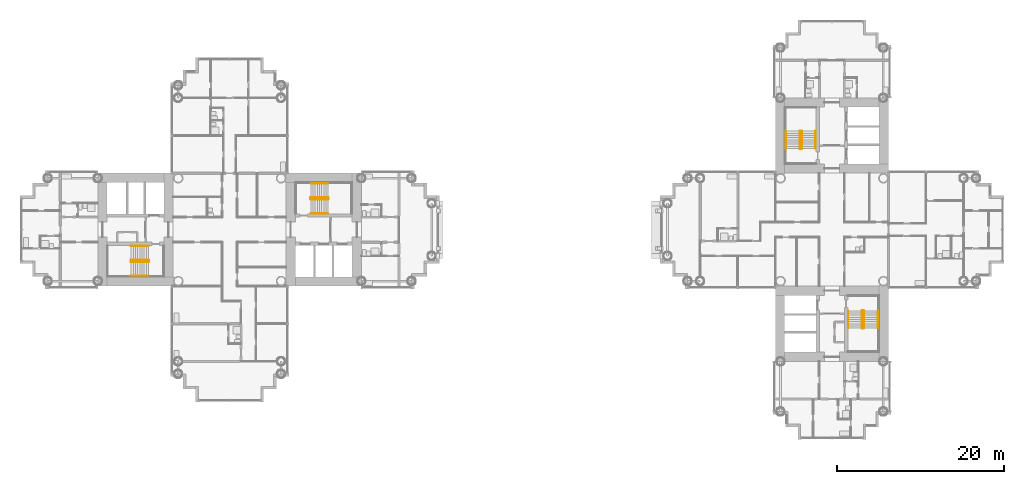
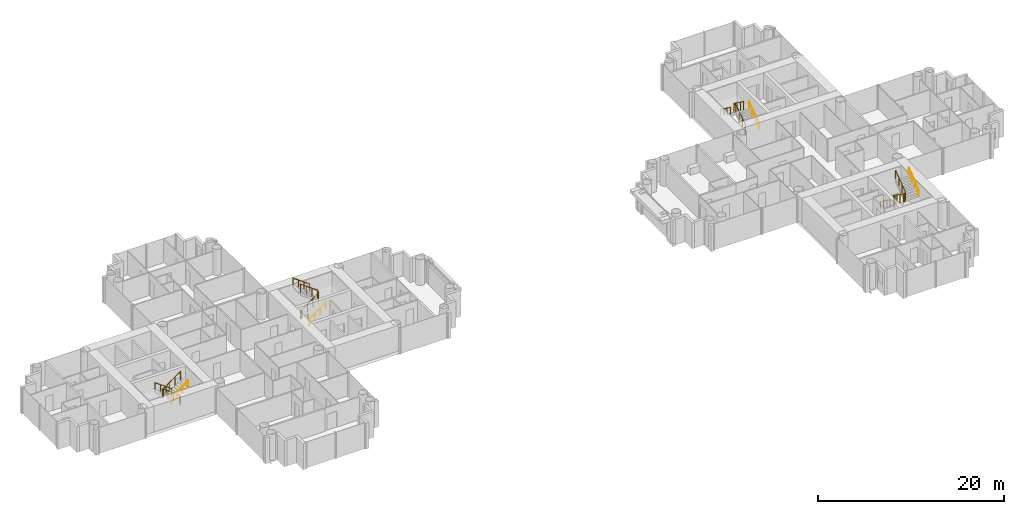
# One storey, part 21 of 22: 12 railings.
"""IFC4 building model written with IfcOpenShell, lengths in metres."""

import ifcopenshell
import ifcopenshell.guid

model = None  # the IFC model being written
_history = None  # IfcOwnerHistory: only IFC2X3 demands one
_inside = {}  # id of a spatial element -> (the spatial element, [elements in it])
_under = {}  # id of a project, library or spatial element -> (it, [spatial elements below it])
_declared = {}  # id of a project -> (the project, [libraries it declares])
_typed = {}  # id of a type object -> (the type object, [elements of that type])
_made_of = {}  # id of a material, layer set ... -> (it, [elements and type objects made of it])


def new_model(schema):
    """Start an empty IFC model of exactly this schema.

    Asked for "IFC4X3", IfcOpenShell would pick the latest addendum, in which some entities
    have other attributes; the version numbers below select the first issue.
    IFC2X3 requires an IfcOwnerHistory on every rooted entity: one is made here for all.
    """
    global model, _history
    if schema == "IFC4X3":
        model = ifcopenshell.file(schema_version=(4, 3, 0, 0))
    else:
        model = ifcopenshell.file(schema=schema)
    _inside.clear()
    _under.clear()
    _declared.clear()
    _typed.clear()
    _made_of.clear()
    _history = None
    if model.schema == "IFC2X3":
        org = make("IfcOrganization", Name="unknown")
        user = make(
            "IfcPersonAndOrganization",
            ThePerson=make("IfcPerson", FamilyName="unknown"),
            TheOrganization=org,
        )
        app = make(
            "IfcApplication",
            ApplicationDeveloper=org,
            Version="unknown",
            ApplicationFullName="unknown",
            ApplicationIdentifier="unknown",
        )
        _history = make(
            "IfcOwnerHistory",
            OwningUser=user,
            OwningApplication=app,
            ChangeAction="ADDED",
            CreationDate=0,
        )
    return model


def make(cls, **values):
    """One entity of the class cls with the attributes given. An attribute that is None is left unset."""
    return model.create_entity(
        cls, **{name: value for name, value in values.items() if value is not None}
    )


def rooted(cls, **values):
    """An entity with a GlobalId (a new one), such as an element, a storey or a relation."""
    return make(cls, GlobalId=ifcopenshell.guid.new(), OwnerHistory=_history, **values)


def si_unit(unit_type, name, prefix=None):
    """IfcSIUnit, for example si_unit("LENGTHUNIT", "METRE", prefix="MILLI")."""
    return make("IfcSIUnit", UnitType=unit_type, Prefix=prefix, Name=name)


def assignment(units):
    """IfcUnitAssignment: the units of a project."""
    return None if units is None else make("IfcUnitAssignment", Units=units)


def point(xyz):
    """IfcCartesianPoint."""
    return None if xyz is None else make("IfcCartesianPoint", Coordinates=xyz)


def direction(xyz):
    """IfcDirection."""
    return None if xyz is None else make("IfcDirection", DirectionRatios=xyz)


def frame(location, z_axis=None, x_axis=None):
    """IfcAxis2Placement3D, a coordinate frame: its origin and axes. An axis left out is left unset."""
    return make(
        "IfcAxis2Placement3D",
        Location=point(location),
        Axis=direction(z_axis),
        RefDirection=direction(x_axis),
    )


def frame_2d(location, x_axis=None):
    """IfcAxis2Placement2D, a coordinate frame in the plane: its origin and x axis."""
    return make(
        "IfcAxis2Placement2D", Location=point(location), RefDirection=direction(x_axis)
    )


def origin():
    """The frame at (0, 0, 0) with its axes left unset."""
    return frame((0.0, 0.0, 0.0))


def origin_2d():
    """The frame at (0, 0) in the plane with its x axis left unset."""
    return frame_2d((0.0, 0.0))


def place(relative_to, where):
    """IfcLocalPlacement: puts the frame where relative to a parent placement (None: the world)."""
    return make(
        "IfcLocalPlacement", PlacementRelTo=relative_to, RelativePlacement=where
    )


def context(
    kind, dimensions, precision=None, world=None, true_north=None, identifier=None
):
    """IfcGeometricRepresentationContext, for example the 3D "Model" context."""
    return make(
        "IfcGeometricRepresentationContext",
        ContextIdentifier=identifier,
        ContextType=kind,
        CoordinateSpaceDimension=dimensions,
        Precision=precision,
        WorldCoordinateSystem=world,
        TrueNorth=true_north,
    )


def subcontext(parent, identifier, kind, view, scale=None):
    """IfcGeometricRepresentationSubContext, for example "Body" below "Model"."""
    return make(
        "IfcGeometricRepresentationSubContext",
        ContextIdentifier=identifier,
        ContextType=kind,
        ParentContext=parent,
        TargetScale=scale,
        TargetView=view,
    )


def project(units=None, contexts=None):
    """IfcProject with its units and contexts."""
    return rooted(
        "IfcProject",
        Name="project",
        RepresentationContexts=contexts,
        UnitsInContext=assignment(units),
    )


def spatial(cls, under=None, at=None, **own):
    """A site, building, storey or space (cls), placed at a placement, below another one or the project."""
    s = rooted(cls, ObjectPlacement=at, **own)
    if under is not None:
        _under.setdefault(under.id(), (under, []))[1].append(s)
    return s


def profile(cls, at=None, kind="AREA", **sizes):
    """A parametric profile (cls). Its sizes go by their IFC names, for example OverallWidth=200.0."""
    return make(cls, ProfileType=kind, Position=at, **sizes)


def circle(**sizes):
    """IfcCircleProfileDef."""
    return profile("IfcCircleProfileDef", **sizes)


def extrude(swept, where, along, depth):
    """IfcExtrudedAreaSolid: the profile swept, set in the frame where, extruded along a direction by depth."""
    return make(
        "IfcExtrudedAreaSolid",
        SweptArea=swept,
        Position=where,
        ExtrudedDirection=direction(along),
        Depth=depth,
    )


def shape(context_of_items, identifier, shape_type, items):
    """IfcShapeRepresentation: the items that make up one representation, for example the "Body"."""
    return make(
        "IfcShapeRepresentation",
        ContextOfItems=context_of_items,
        RepresentationIdentifier=identifier,
        RepresentationType=shape_type,
        Items=items,
    )


def material(Name=None, Category=None):
    """IfcMaterial."""
    return make("IfcMaterial", Name=Name, Category=Category)


def made_of(thing, what):
    """Note that an element or type object is made of a material, layer set ...; save() writes the relation."""
    if what is not None:
        _made_of.setdefault(what.id(), (what, []))[1].append(thing)
    return thing


def type_object(cls, material=None, **own):
    """A type object (cls), such as IfcWallType, which elements share."""
    return made_of(rooted(cls, **own), material)


def element(
    cls,
    number,
    at=None,
    inside=None,
    cuts=None,
    type_object=None,
    material=None,
    context=None,
    identifier="Body",
    shape_type=None,
    held_by="IfcProductDefinitionShape",
    body=None,
    shapes=None,
    **own,
):
    """One element of the class cls, such as IfcWall. Its Tag is "e" and its number.

    at: its placement. inside: the storey or other place that contains it. cuts: it is an
    opening in that element (IfcRelVoidsElement). A single representation is given by context,
    identifier, shape_type and body (its items); several are given by shapes. held_by: the class
    of the entity that holds the representations. save() writes the other relations.
    """
    e = rooted(cls, Tag="e%d" % number, ObjectPlacement=at, **own)
    if body is not None:
        shapes = [shape(context, identifier, shape_type, body)]
    if shapes is not None:
        e.Representation = make(held_by, Representations=shapes)
    if inside is not None:
        _inside.setdefault(inside.id(), (inside, []))[1].append(e)
    if cuts is not None:
        rooted(
            "IfcRelVoidsElement", RelatingBuildingElement=cuts, RelatedOpeningElement=e
        )
    if type_object is not None:
        _typed.setdefault(type_object.id(), (type_object, []))[1].append(e)
    return made_of(e, material)


def aggregate(whole, parts):
    """IfcRelAggregates: a whole, such as a stair, and the parts it consists of."""
    return rooted("IfcRelAggregates", RelatingObject=whole, RelatedObjects=parts)


def save(model, path):
    """Write the relations noted so far, then the file.

    IfcRelAggregates (storeys below a building ...), IfcRelContainedInSpatialStructure (elements
    in a storey), IfcRelDefinesByType, IfcRelAssociatesMaterial and IfcRelDeclares: one each for
    every whole, place, type object, material and project.
    """
    for whole, parts in _under.values():
        aggregate(whole, parts)
    for where, things in _inside.values():
        rooted(
            "IfcRelContainedInSpatialStructure",
            RelatedElements=things,
            RelatingStructure=where,
        )
    for kind, things in _typed.values():
        rooted("IfcRelDefinesByType", RelatedObjects=things, RelatingType=kind)
    for what, things in _made_of.values():
        rooted("IfcRelAssociatesMaterial", RelatedObjects=things, RelatingMaterial=what)
    for by, libraries in _declared.values():
        rooted("IfcRelDeclares", RelatingContext=by, RelatedDefinitions=libraries)
    model.write(path)


model = new_model("IFC4")

# Units and contexts
model_context = context("Model", 3, precision=1e-05, world=origin(), true_north=direction((0.0, 1.0)))
body_context = subcontext(model_context, "Body", "Model", "MODEL_VIEW")
ifc_project = project(units=[si_unit("LENGTHUNIT", "METRE"), si_unit("AREAUNIT", "SQUARE_METRE"), si_unit("VOLUMEUNIT", "CUBIC_METRE"), si_unit("PLANEANGLEUNIT", "RADIAN"), si_unit("MASSUNIT", "GRAM", prefix="KILO")], contexts=[model_context])

# Site, building, storey
site_placement = place(None, origin())
site = spatial("IfcSite", under=ifc_project, at=site_placement, CompositionType="ELEMENT")
building_placement = place(site_placement, origin())
building = spatial("IfcBuilding", under=site, at=building_placement, Name="Ipe Terrace Towers", CompositionType="ELEMENT")
storey_placement = place(building_placement, frame((0.0, 0.0, 68.699951171875)))
storey = spatial("IfcBuildingStorey", under=building, at=storey_placement, Name="L18", CompositionType="ELEMENT", Elevation=68.699951171875)

# Railings
ifc_material_1 = material(Name="Steel S355", Category="steel")
railing_type_1 = type_object("IfcRailingType", Name="Stair guard 1100", PredefinedType="GUARDRAIL", material=ifc_material_1)
railing_1_placement = place(storey_placement, frame((-26.35009765625, 3.800048828125, 0.0)))
element("IfcRailing", 1, at=railing_1_placement, inside=storey, type_object=railing_type_1, Name="L18 T1-ST1 stair guard 1", PredefinedType="GUARDRAIL", context=body_context, shape_type="SweptSolid", body=[
    extrude(circle(Radius=0.02392578125, at=origin_2d()), frame((0.0, 0.0, 1.076171875), z_axis=(0.0, -1.0, 0.0), x_axis=(1.0, 0.0, 0.0)), (0.0, 0.0, 1.0), 0.150146484375),
    extrude(circle(Radius=0.02392578125, at=origin_2d()), frame((0.0, -0.150146484375, 1.076171875), z_axis=(0.248103849378, -0.246893586699, 0.936743314239), x_axis=(0.705375805398, 0.708833529934, 0.0)), (0.0, 0.0, 1.0), 0.20166015625),
    extrude(circle(Radius=0.02392578125, at=origin_2d()), frame((0.050048828125, -0.199951171875, 1.26513671875), z_axis=(0.809068575486, 0.0, 0.587714250432), x_axis=(0.0, 1.0, 0.0)), (0.0, 0.0, 1.0), 2.571044921875),
    extrude(circle(Radius=0.02392578125, at=origin_2d()), frame((2.130126953125, -0.199951171875, 2.77587890625), z_axis=(0.708833529934, 0.705375805398, 0.0), x_axis=(-0.705375805398, 0.708833529934, 0.0)), (0.0, 0.0, 1.0), 0.070556640625),
    extrude(circle(Radius=0.02392578125, at=origin_2d()), frame((2.18017578125, -0.150146484375, 2.77587890625), z_axis=(0.0, 1.0, 0.0), x_axis=(-1.0, 0.0, 0.0)), (0.0, 0.0, 1.0), 0.150146484375),
    extrude(circle(Radius=0.02392578125, at=origin_2d()), frame((2.18017578125, 0.0, 2.77587890625), z_axis=(-0.248029566107, 0.248029566107, 0.936462849596), x_axis=(-0.707106781187, -0.707106781187, 0.0)), (0.0, 0.0, 1.0), 0.201904296875),
    extrude(circle(Radius=0.02392578125, at=origin_2d()), frame((2.130126953125, 0.050048828125, 2.96484375), z_axis=(-0.809023421508, 0.0, 0.587776406001), x_axis=(0.0, -1.0, 0.0)), (0.0, 0.0, 1.0), 2.571044921875),
    extrude(circle(Radius=0.02099609375, at=origin_2d()), origin(), (0.0, 0.0, 1.0), 1.052001953125),
    extrude(circle(Radius=0.02099609375, at=origin_2d()), frame((0.0, -0.150146484375, 0.0)), (0.0, 0.0, 1.0), 1.052001953125),
    extrude(circle(Radius=0.02099609375, at=origin_2d()), frame((0.050048828125, -0.199951171875, 0.18896484375)), (0.0, 0.0, 1.0), 1.052001953125),
    extrude(circle(Radius=0.02099609375, at=origin_2d()), frame((0.743408203125, -0.199951171875, 0.692626953125)), (0.0, 0.0, 1.0), 1.052001953125),
    extrude(circle(Radius=0.02099609375, at=origin_2d()), frame((1.436767578125, -0.199951171875, 1.1962890625)), (0.0, 0.0, 1.0), 1.052001953125),
    extrude(circle(Radius=0.02099609375, at=origin_2d()), frame((2.130126953125, -0.199951171875, 1.699951171875)), (0.0, 0.0, 1.0), 1.052001953125),
    extrude(circle(Radius=0.02099609375, at=origin_2d()), frame((2.18017578125, -0.150146484375, 1.699951171875)), (0.0, 0.0, 1.0), 1.052001953125),
    extrude(circle(Radius=0.02099609375, at=origin_2d()), frame((2.18017578125, 0.0, 1.699951171875)), (0.0, 0.0, 1.0), 1.052001953125),
    extrude(circle(Radius=0.02099609375, at=origin_2d()), frame((2.130126953125, 0.050048828125, 1.888916015625)), (0.0, 0.0, 1.0), 1.052001953125),
    extrude(circle(Radius=0.02099609375, at=origin_2d()), frame((1.436767578125, 0.050048828125, 2.392578125)), (0.0, 0.0, 1.0), 1.052001953125),
    extrude(circle(Radius=0.02099609375, at=origin_2d()), frame((0.743408203125, 0.050048828125, 2.896484375)), (0.0, 0.0, 1.0), 1.052001953125),
    extrude(circle(Radius=0.02099609375, at=origin_2d()), frame((0.050048828125, 0.050048828125, 3.400146484375)), (0.0, 0.0, 1.0), 1.052001953125),
])
railing_2_placement = place(storey_placement, frame((-45.64990234375, -3.800048828125, 0.0)))
element("IfcRailing", 2, at=railing_2_placement, inside=storey, type_object=railing_type_1, Name="L18 T1-ST2 stair guard 1", PredefinedType="GUARDRAIL", context=body_context, shape_type="SweptSolid", body=[
    extrude(circle(Radius=0.02392578125, at=origin_2d()), frame((0.0, 0.0, 1.076171875), z_axis=(0.0, 1.0, 0.0), x_axis=(-1.0, 0.0, 0.0)), (0.0, 0.0, 1.0), 0.150146484375),
    extrude(circle(Radius=0.02392578125, at=origin_2d()), frame((0.0, 0.150146484375, 1.076171875), z_axis=(-0.248103849378, 0.246893586699, 0.936743314239), x_axis=(-0.705375805398, -0.708833529934, 0.0)), (0.0, 0.0, 1.0), 0.20166015625),
    extrude(circle(Radius=0.02392578125, at=origin_2d()), frame((-0.050048828125, 0.199951171875, 1.26513671875), z_axis=(-0.809068575486, 0.0, 0.587714250432), x_axis=(0.0, -1.0, 0.0)), (0.0, 0.0, 1.0), 2.571044921875),
    extrude(circle(Radius=0.02392578125, at=origin_2d()), frame((-2.130126953125, 0.199951171875, 2.77587890625), z_axis=(-0.708833529934, -0.705375805398, 0.0), x_axis=(0.705375805398, -0.708833529934, 0.0)), (0.0, 0.0, 1.0), 0.070556640625),
    extrude(circle(Radius=0.02392578125, at=origin_2d()), frame((-2.18017578125, 0.150146484375, 2.77587890625), z_axis=(0.0, -1.0, 0.0), x_axis=(1.0, 0.0, 0.0)), (0.0, 0.0, 1.0), 0.150146484375),
    extrude(circle(Radius=0.02392578125, at=origin_2d()), frame((-2.18017578125, 0.0, 2.77587890625), z_axis=(0.248029566107, -0.248029566107, 0.936462849596), x_axis=(0.707106781187, 0.707106781187, 0.0)), (0.0, 0.0, 1.0), 0.201904296875),
    extrude(circle(Radius=0.02392578125, at=origin_2d()), frame((-2.130126953125, -0.050048828125, 2.96484375), z_axis=(0.809023421508, 0.0, 0.587776406001), x_axis=(0.0, 1.0, 0.0)), (0.0, 0.0, 1.0), 2.571044921875),
    extrude(circle(Radius=0.02099609375, at=origin_2d()), origin(), (0.0, 0.0, 1.0), 1.052001953125),
    extrude(circle(Radius=0.02099609375, at=origin_2d()), frame((0.0, 0.150146484375, 0.0)), (0.0, 0.0, 1.0), 1.052001953125),
    extrude(circle(Radius=0.02099609375, at=origin_2d()), frame((-0.050048828125, 0.199951171875, 0.18896484375)), (0.0, 0.0, 1.0), 1.052001953125),
    extrude(circle(Radius=0.02099609375, at=origin_2d()), frame((-0.743408203125, 0.199951171875, 0.692626953125)), (0.0, 0.0, 1.0), 1.052001953125),
    extrude(circle(Radius=0.02099609375, at=origin_2d()), frame((-1.436767578125, 0.199951171875, 1.1962890625)), (0.0, 0.0, 1.0), 1.052001953125),
    extrude(circle(Radius=0.02099609375, at=origin_2d()), frame((-2.130126953125, 0.199951171875, 1.699951171875)), (0.0, 0.0, 1.0), 1.052001953125),
    extrude(circle(Radius=0.02099609375, at=origin_2d()), frame((-2.18017578125, 0.150146484375, 1.699951171875)), (0.0, 0.0, 1.0), 1.052001953125),
    extrude(circle(Radius=0.02099609375, at=origin_2d()), frame((-2.18017578125, 0.0, 1.699951171875)), (0.0, 0.0, 1.0), 1.052001953125),
    extrude(circle(Radius=0.02099609375, at=origin_2d()), frame((-2.130126953125, -0.050048828125, 1.888916015625)), (0.0, 0.0, 1.0), 1.052001953125),
    extrude(circle(Radius=0.02099609375, at=origin_2d()), frame((-1.436767578125, -0.050048828125, 2.392578125)), (0.0, 0.0, 1.0), 1.052001953125),
    extrude(circle(Radius=0.02099609375, at=origin_2d()), frame((-0.743408203125, -0.050048828125, 2.896484375)), (0.0, 0.0, 1.0), 1.052001953125),
    extrude(circle(Radius=0.02099609375, at=origin_2d()), frame((-0.050048828125, -0.050048828125, 3.400146484375)), (0.0, 0.0, 1.0), 1.052001953125),
])
railing_3_placement = place(storey_placement, frame((32.199951171875, 9.64990234375, 0.0)))
element("IfcRailing", 3, at=railing_3_placement, inside=storey, type_object=railing_type_1, Name="L18 T2-ST1 stair guard 1", PredefinedType="GUARDRAIL", context=body_context, shape_type="SweptSolid", body=[
    extrude(circle(Radius=0.02392578125, at=origin_2d()), frame((0.0, 0.0, 1.076171875), z_axis=(1.0, 0.0, 0.0), x_axis=(0.0, 1.0, 0.0)), (0.0, 0.0, 1.0), 0.150146484375),
    extrude(circle(Radius=0.02392578125, at=origin_2d()), frame((0.150146484375, 0.0, 1.076171875), z_axis=(0.246893586699, 0.248103849378, 0.936743314239), x_axis=(-0.708833529934, 0.705375805398, 0.0)), (0.0, 0.0, 1.0), 0.20166015625),
    extrude(circle(Radius=0.02392578125, at=origin_2d()), frame((0.199951171875, 0.050048828125, 1.26513671875), z_axis=(0.0, 0.809068575486, 0.587714250432), x_axis=(-1.0, 0.0, 0.0)), (0.0, 0.0, 1.0), 2.571044921875),
    extrude(circle(Radius=0.02392578125, at=origin_2d()), frame((0.199951171875, 2.130126953125, 2.77587890625), z_axis=(-0.705375805398, 0.708833529934, 0.0), x_axis=(-0.708833529934, -0.705375805398, 0.0)), (0.0, 0.0, 1.0), 0.070556640625),
    extrude(circle(Radius=0.02392578125, at=origin_2d()), frame((0.150146484375, 2.18017578125, 2.77587890625), z_axis=(-1.0, 0.0, 0.0), x_axis=(0.0, -1.0, 0.0)), (0.0, 0.0, 1.0), 0.150146484375),
    extrude(circle(Radius=0.02392578125, at=origin_2d()), frame((0.0, 2.18017578125, 2.77587890625), z_axis=(-0.248029566107, -0.248029566107, 0.936462849596), x_axis=(0.707106781187, -0.707106781187, 0.0)), (0.0, 0.0, 1.0), 0.201904296875),
    extrude(circle(Radius=0.02392578125, at=origin_2d()), frame((-0.050048828125, 2.130126953125, 2.96484375), z_axis=(0.0, -0.809023421508, 0.587776406001), x_axis=(1.0, 0.0, 0.0)), (0.0, 0.0, 1.0), 2.571044921875),
    extrude(circle(Radius=0.02099609375, at=origin_2d()), origin(), (0.0, 0.0, 1.0), 1.052001953125),
    extrude(circle(Radius=0.02099609375, at=origin_2d()), frame((0.150146484375, 0.0, 0.0)), (0.0, 0.0, 1.0), 1.052001953125),
    extrude(circle(Radius=0.02099609375, at=origin_2d()), frame((0.199951171875, 0.050048828125, 0.18896484375)), (0.0, 0.0, 1.0), 1.052001953125),
    extrude(circle(Radius=0.02099609375, at=origin_2d()), frame((0.199951171875, 0.743408203125, 0.692626953125)), (0.0, 0.0, 1.0), 1.052001953125),
    extrude(circle(Radius=0.02099609375, at=origin_2d()), frame((0.199951171875, 1.436767578125, 1.1962890625)), (0.0, 0.0, 1.0), 1.052001953125),
    extrude(circle(Radius=0.02099609375, at=origin_2d()), frame((0.199951171875, 2.130126953125, 1.699951171875)), (0.0, 0.0, 1.0), 1.052001953125),
    extrude(circle(Radius=0.02099609375, at=origin_2d()), frame((0.150146484375, 2.18017578125, 1.699951171875)), (0.0, 0.0, 1.0), 1.052001953125),
    extrude(circle(Radius=0.02099609375, at=origin_2d()), frame((0.0, 2.18017578125, 1.699951171875)), (0.0, 0.0, 1.0), 1.052001953125),
    extrude(circle(Radius=0.02099609375, at=origin_2d()), frame((-0.050048828125, 2.130126953125, 1.888916015625)), (0.0, 0.0, 1.0), 1.052001953125),
    extrude(circle(Radius=0.02099609375, at=origin_2d()), frame((-0.050048828125, 1.436767578125, 2.392578125)), (0.0, 0.0, 1.0), 1.052001953125),
    extrude(circle(Radius=0.02099609375, at=origin_2d()), frame((-0.050048828125, 0.743408203125, 2.896484375)), (0.0, 0.0, 1.0), 1.052001953125),
    extrude(circle(Radius=0.02099609375, at=origin_2d()), frame((-0.050048828125, 0.050048828125, 3.400146484375)), (0.0, 0.0, 1.0), 1.052001953125),
])
railing_4_placement = place(storey_placement, frame((39.800048828125, -9.64990234375, 0.0)))
element("IfcRailing", 4, at=railing_4_placement, inside=storey, type_object=railing_type_1, Name="L18 T2-ST2 stair guard 1", PredefinedType="GUARDRAIL", context=body_context, shape_type="SweptSolid", body=[
    extrude(circle(Radius=0.02392578125, at=origin_2d()), frame((0.0, 0.0, 1.076171875), z_axis=(-1.0, 0.0, 0.0), x_axis=(0.0, -1.0, 0.0)), (0.0, 0.0, 1.0), 0.150146484375),
    extrude(circle(Radius=0.02392578125, at=origin_2d()), frame((-0.150146484375, 0.0, 1.076171875), z_axis=(-0.246893586699, -0.248103849378, 0.936743314239), x_axis=(0.708833529934, -0.705375805398, 0.0)), (0.0, 0.0, 1.0), 0.20166015625),
    extrude(circle(Radius=0.02392578125, at=origin_2d()), frame((-0.199951171875, -0.050048828125, 1.26513671875), z_axis=(0.0, -0.809068575486, 0.587714250432), x_axis=(1.0, 0.0, 0.0)), (0.0, 0.0, 1.0), 2.571044921875),
    extrude(circle(Radius=0.02392578125, at=origin_2d()), frame((-0.199951171875, -2.130126953125, 2.77587890625), z_axis=(0.705375805398, -0.708833529934, 0.0), x_axis=(0.708833529934, 0.705375805398, 0.0)), (0.0, 0.0, 1.0), 0.070556640625),
    extrude(circle(Radius=0.02392578125, at=origin_2d()), frame((-0.150146484375, -2.18017578125, 2.77587890625), z_axis=(1.0, 0.0, 0.0), x_axis=(0.0, 1.0, 0.0)), (0.0, 0.0, 1.0), 0.150146484375),
    extrude(circle(Radius=0.02392578125, at=origin_2d()), frame((0.0, -2.18017578125, 2.77587890625), z_axis=(0.248029566107, 0.248029566107, 0.936462849596), x_axis=(-0.707106781187, 0.707106781187, 0.0)), (0.0, 0.0, 1.0), 0.201904296875),
    extrude(circle(Radius=0.02392578125, at=origin_2d()), frame((0.050048828125, -2.130126953125, 2.96484375), z_axis=(0.0, 0.809023421508, 0.587776406001), x_axis=(-1.0, 0.0, 0.0)), (0.0, 0.0, 1.0), 2.571044921875),
    extrude(circle(Radius=0.02099609375, at=origin_2d()), origin(), (0.0, 0.0, 1.0), 1.052001953125),
    extrude(circle(Radius=0.02099609375, at=origin_2d()), frame((-0.150146484375, 0.0, 0.0)), (0.0, 0.0, 1.0), 1.052001953125),
    extrude(circle(Radius=0.02099609375, at=origin_2d()), frame((-0.199951171875, -0.050048828125, 0.18896484375)), (0.0, 0.0, 1.0), 1.052001953125),
    extrude(circle(Radius=0.02099609375, at=origin_2d()), frame((-0.199951171875, -0.743408203125, 0.692626953125)), (0.0, 0.0, 1.0), 1.052001953125),
    extrude(circle(Radius=0.02099609375, at=origin_2d()), frame((-0.199951171875, -1.436767578125, 1.1962890625)), (0.0, 0.0, 1.0), 1.052001953125),
    extrude(circle(Radius=0.02099609375, at=origin_2d()), frame((-0.199951171875, -2.130126953125, 1.699951171875)), (0.0, 0.0, 1.0), 1.052001953125),
    extrude(circle(Radius=0.02099609375, at=origin_2d()), frame((-0.150146484375, -2.18017578125, 1.699951171875)), (0.0, 0.0, 1.0), 1.052001953125),
    extrude(circle(Radius=0.02099609375, at=origin_2d()), frame((0.0, -2.18017578125, 1.699951171875)), (0.0, 0.0, 1.0), 1.052001953125),
    extrude(circle(Radius=0.02099609375, at=origin_2d()), frame((0.050048828125, -2.130126953125, 1.888916015625)), (0.0, 0.0, 1.0), 1.052001953125),
    extrude(circle(Radius=0.02099609375, at=origin_2d()), frame((0.050048828125, -1.436767578125, 2.392578125)), (0.0, 0.0, 1.0), 1.052001953125),
    extrude(circle(Radius=0.02099609375, at=origin_2d()), frame((0.050048828125, -0.743408203125, 2.896484375)), (0.0, 0.0, 1.0), 1.052001953125),
    extrude(circle(Radius=0.02099609375, at=origin_2d()), frame((0.050048828125, -0.050048828125, 3.400146484375)), (0.0, 0.0, 1.0), 1.052001953125),
])
ifc_material_2 = material(Name="Stainless steel grade 304", Category="steel")
railing_type_2 = type_object("IfcRailingType", Name="Stair handrail 900", PredefinedType="HANDRAIL", material=ifc_material_2)
railing_5_placement = place(storey_placement, frame((-26.300048828125, 1.949951171875, 0.18896484375)))
element("IfcRailing", 5, at=railing_5_placement, inside=storey, type_object=railing_type_2, Name="L18 T1-ST1 stair handrail 1", PredefinedType="HANDRAIL", context=body_context, shape_type="SweptSolid", body=[
    extrude(circle(Radius=0.02392578125, at=origin_2d()), frame((0.0, 0.0, 0.8759765625), z_axis=(0.809068575486, 0.0, 0.587714250432), x_axis=(0.0, 1.0, 0.0)), (0.0, 0.0, 1.0), 2.571044921875),
    extrude(circle(Radius=0.02099609375, at=origin_2d()), origin(), (0.0, 0.0, 1.0), 0.851806640625),
    extrude(circle(Radius=0.02099609375, at=origin_2d()), frame((0.693359375, 0.0, 0.503662109375)), (0.0, 0.0, 1.0), 0.851806640625),
    extrude(circle(Radius=0.02099609375, at=origin_2d()), frame((1.38671875, 0.0, 1.00732421875)), (0.0, 0.0, 1.0), 0.851806640625),
    extrude(circle(Radius=0.02099609375, at=origin_2d()), frame((2.080078125, 0.0, 1.510986328125)), (0.0, 0.0, 1.0), 0.851806640625),
])
railing_6_placement = place(storey_placement, frame((-24.219970703125, 5.5, 1.888916015625)))
element("IfcRailing", 6, at=railing_6_placement, inside=storey, type_object=railing_type_2, Name="L18 T1-ST1 stair handrail 2", PredefinedType="HANDRAIL", context=body_context, shape_type="SweptSolid", body=[
    extrude(circle(Radius=0.02392578125, at=origin_2d()), frame((0.0, 0.0, 0.8759765625), z_axis=(-0.809023421508, 0.0, 0.587776406001), x_axis=(0.0, -1.0, 0.0)), (0.0, 0.0, 1.0), 2.571044921875),
    extrude(circle(Radius=0.02099609375, at=origin_2d()), origin(), (0.0, 0.0, 1.0), 0.851806640625),
    extrude(circle(Radius=0.02099609375, at=origin_2d()), frame((-0.693359375, 0.0, 0.503662109375)), (0.0, 0.0, 1.0), 0.851806640625),
    extrude(circle(Radius=0.02099609375, at=origin_2d()), frame((-1.38671875, 0.0, 1.007568359375)), (0.0, 0.0, 1.0), 0.851806640625),
    extrude(circle(Radius=0.02099609375, at=origin_2d()), frame((-2.080078125, 0.0, 1.51123046875)), (0.0, 0.0, 1.0), 0.851806640625),
])
railing_7_placement = place(storey_placement, frame((-45.699951171875, -1.949951171875, 0.18896484375)))
element("IfcRailing", 7, at=railing_7_placement, inside=storey, type_object=railing_type_2, Name="L18 T1-ST2 stair handrail 1", PredefinedType="HANDRAIL", context=body_context, shape_type="SweptSolid", body=[
    extrude(circle(Radius=0.02392578125, at=origin_2d()), frame((0.0, 0.0, 0.8759765625), z_axis=(-0.809068575486, 0.0, 0.587714250432), x_axis=(0.0, -1.0, 0.0)), (0.0, 0.0, 1.0), 2.571044921875),
    extrude(circle(Radius=0.02099609375, at=origin_2d()), origin(), (0.0, 0.0, 1.0), 0.851806640625),
    extrude(circle(Radius=0.02099609375, at=origin_2d()), frame((-0.693359375, 0.0, 0.503662109375)), (0.0, 0.0, 1.0), 0.851806640625),
    extrude(circle(Radius=0.02099609375, at=origin_2d()), frame((-1.38671875, 0.0, 1.00732421875)), (0.0, 0.0, 1.0), 0.851806640625),
    extrude(circle(Radius=0.02099609375, at=origin_2d()), frame((-2.080078125, 0.0, 1.510986328125)), (0.0, 0.0, 1.0), 0.851806640625),
])
railing_8_placement = place(storey_placement, frame((-47.780029296875, -5.5, 1.888916015625)))
element("IfcRailing", 8, at=railing_8_placement, inside=storey, type_object=railing_type_2, Name="L18 T1-ST2 stair handrail 2", PredefinedType="HANDRAIL", context=body_context, shape_type="SweptSolid", body=[
    extrude(circle(Radius=0.02392578125, at=origin_2d()), frame((0.0, 0.0, 0.8759765625), z_axis=(0.809023421508, 0.0, 0.587776406001), x_axis=(0.0, 1.0, 0.0)), (0.0, 0.0, 1.0), 2.571044921875),
    extrude(circle(Radius=0.02099609375, at=origin_2d()), origin(), (0.0, 0.0, 1.0), 0.851806640625),
    extrude(circle(Radius=0.02099609375, at=origin_2d()), frame((0.693359375, 0.0, 0.503662109375)), (0.0, 0.0, 1.0), 0.851806640625),
    extrude(circle(Radius=0.02099609375, at=origin_2d()), frame((1.38671875, 0.0, 1.007568359375)), (0.0, 0.0, 1.0), 0.851806640625),
    extrude(circle(Radius=0.02099609375, at=origin_2d()), frame((2.080078125, 0.0, 1.51123046875)), (0.0, 0.0, 1.0), 0.851806640625),
])
railing_9_placement = place(storey_placement, frame((34.050048828125, 9.699951171875, 0.18896484375)))
element("IfcRailing", 9, at=railing_9_placement, inside=storey, type_object=railing_type_2, Name="L18 T2-ST1 stair handrail 1", PredefinedType="HANDRAIL", context=body_context, shape_type="SweptSolid", body=[
    extrude(circle(Radius=0.02392578125, at=origin_2d()), frame((0.0, 0.0, 0.8759765625), z_axis=(0.0, 0.809068575486, 0.587714250432), x_axis=(-1.0, 0.0, 0.0)), (0.0, 0.0, 1.0), 2.571044921875),
    extrude(circle(Radius=0.02099609375, at=origin_2d()), origin(), (0.0, 0.0, 1.0), 0.851806640625),
    extrude(circle(Radius=0.02099609375, at=origin_2d()), frame((0.0, 0.693359375, 0.503662109375)), (0.0, 0.0, 1.0), 0.851806640625),
    extrude(circle(Radius=0.02099609375, at=origin_2d()), frame((0.0, 1.38671875, 1.00732421875)), (0.0, 0.0, 1.0), 0.851806640625),
    extrude(circle(Radius=0.02099609375, at=origin_2d()), frame((0.0, 2.080078125, 1.510986328125)), (0.0, 0.0, 1.0), 0.851806640625),
])
railing_10_placement = place(storey_placement, frame((30.5, 11.780029296875, 1.888916015625)))
element("IfcRailing", 10, at=railing_10_placement, inside=storey, type_object=railing_type_2, Name="L18 T2-ST1 stair handrail 2", PredefinedType="HANDRAIL", context=body_context, shape_type="SweptSolid", body=[
    extrude(circle(Radius=0.02392578125, at=origin_2d()), frame((0.0, 0.0, 0.8759765625), z_axis=(0.0, -0.809023421508, 0.587776406001), x_axis=(1.0, 0.0, 0.0)), (0.0, 0.0, 1.0), 2.571044921875),
    extrude(circle(Radius=0.02099609375, at=origin_2d()), origin(), (0.0, 0.0, 1.0), 0.851806640625),
    extrude(circle(Radius=0.02099609375, at=origin_2d()), frame((0.0, -0.693359375, 0.503662109375)), (0.0, 0.0, 1.0), 0.851806640625),
    extrude(circle(Radius=0.02099609375, at=origin_2d()), frame((0.0, -1.38671875, 1.007568359375)), (0.0, 0.0, 1.0), 0.851806640625),
    extrude(circle(Radius=0.02099609375, at=origin_2d()), frame((0.0, -2.080078125, 1.51123046875)), (0.0, 0.0, 1.0), 0.851806640625),
])
railing_11_placement = place(storey_placement, frame((37.949951171875, -9.699951171875, 0.18896484375)))
element("IfcRailing", 11, at=railing_11_placement, inside=storey, type_object=railing_type_2, Name="L18 T2-ST2 stair handrail 1", PredefinedType="HANDRAIL", context=body_context, shape_type="SweptSolid", body=[
    extrude(circle(Radius=0.02392578125, at=origin_2d()), frame((0.0, 0.0, 0.8759765625), z_axis=(0.0, -0.809068575486, 0.587714250432), x_axis=(1.0, 0.0, 0.0)), (0.0, 0.0, 1.0), 2.571044921875),
    extrude(circle(Radius=0.02099609375, at=origin_2d()), origin(), (0.0, 0.0, 1.0), 0.851806640625),
    extrude(circle(Radius=0.02099609375, at=origin_2d()), frame((0.0, -0.693359375, 0.503662109375)), (0.0, 0.0, 1.0), 0.851806640625),
    extrude(circle(Radius=0.02099609375, at=origin_2d()), frame((0.0, -1.38671875, 1.00732421875)), (0.0, 0.0, 1.0), 0.851806640625),
    extrude(circle(Radius=0.02099609375, at=origin_2d()), frame((0.0, -2.080078125, 1.510986328125)), (0.0, 0.0, 1.0), 0.851806640625),
])
railing_12_placement = place(storey_placement, frame((41.5, -11.780029296875, 1.888916015625)))
element("IfcRailing", 12, at=railing_12_placement, inside=storey, type_object=railing_type_2, Name="L18 T2-ST2 stair handrail 2", PredefinedType="HANDRAIL", context=body_context, shape_type="SweptSolid", body=[
    extrude(circle(Radius=0.02392578125, at=origin_2d()), frame((0.0, 0.0, 0.8759765625), z_axis=(0.0, 0.809023421508, 0.587776406001), x_axis=(-1.0, 0.0, 0.0)), (0.0, 0.0, 1.0), 2.571044921875),
    extrude(circle(Radius=0.02099609375, at=origin_2d()), origin(), (0.0, 0.0, 1.0), 0.851806640625),
    extrude(circle(Radius=0.02099609375, at=origin_2d()), frame((0.0, 0.693359375, 0.503662109375)), (0.0, 0.0, 1.0), 0.851806640625),
    extrude(circle(Radius=0.02099609375, at=origin_2d()), frame((0.0, 1.38671875, 1.007568359375)), (0.0, 0.0, 1.0), 0.851806640625),
    extrude(circle(Radius=0.02099609375, at=origin_2d()), frame((0.0, 2.080078125, 1.51123046875)), (0.0, 0.0, 1.0), 0.851806640625),
])

save(model, "model.ifc")
